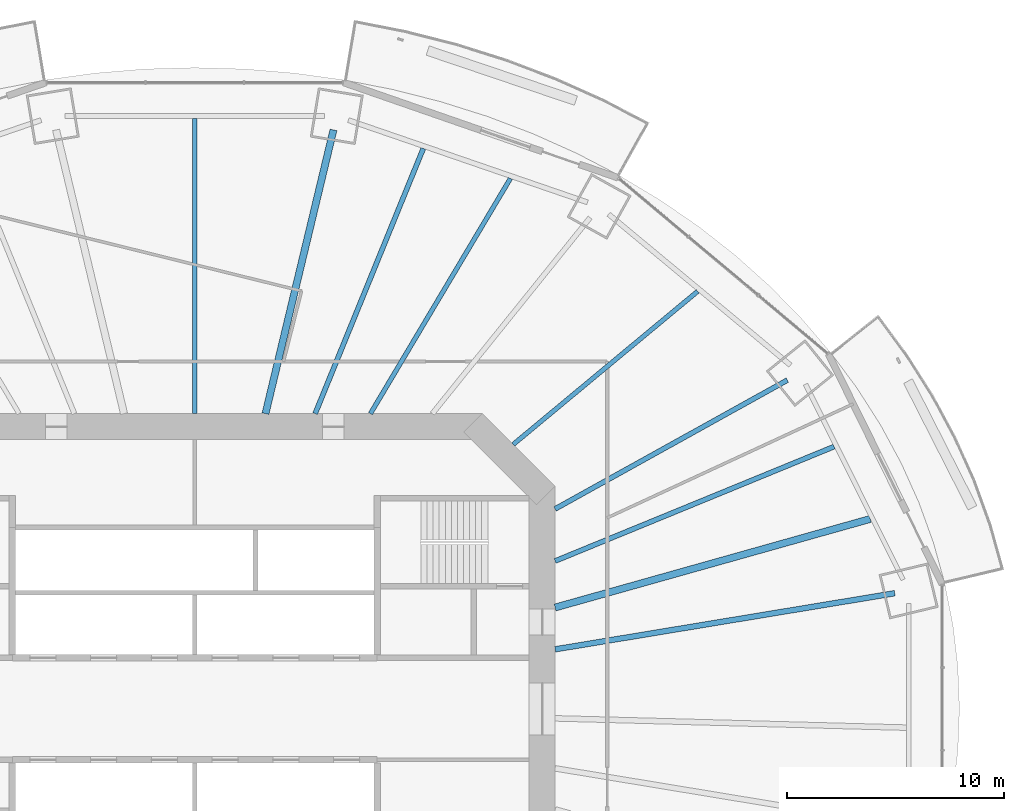
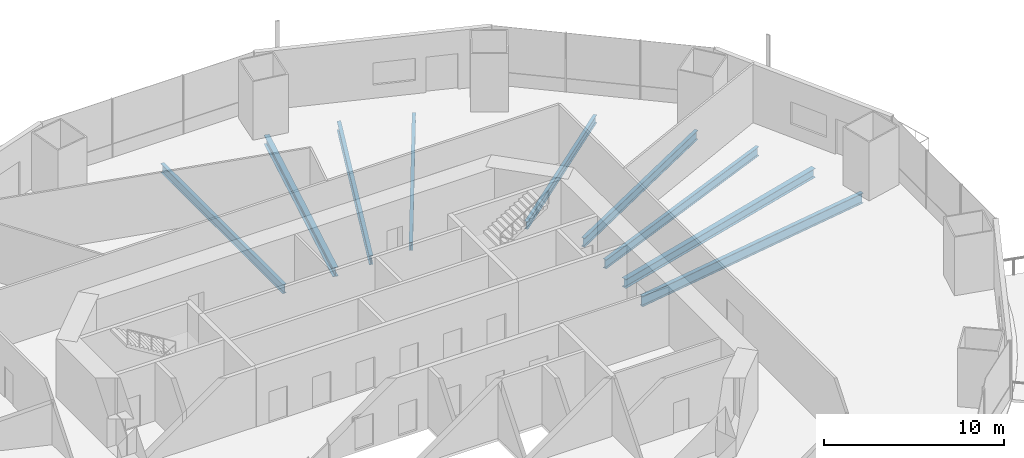
# One storey, part 8 of 22: 9 beams.
"""IFC4 building model written with IfcOpenShell, lengths in metres."""

from ifc_helpers import new_model, si_unit, direction, frame, origin, origin_2d, place, context, subcontext, project, spatial, i_section, extrude, material, material_profile, profile_set, type_object, element, save


model = new_model("IFC4")

# Units and contexts
model_context = context("Model", 3, precision=1e-05, world=origin(), true_north=direction((0.0, 1.0)))
body_context = subcontext(model_context, "Body", "Model", "MODEL_VIEW")
ifc_project = project(units=[si_unit("LENGTHUNIT", "METRE"), si_unit("AREAUNIT", "SQUARE_METRE"), si_unit("VOLUMEUNIT", "CUBIC_METRE"), si_unit("PLANEANGLEUNIT", "RADIAN"), si_unit("MASSUNIT", "GRAM", prefix="KILO")], contexts=[model_context])

# Site, building, storey
site_placement = place(None, origin())
site = spatial("IfcSite", under=ifc_project, at=site_placement, CompositionType="ELEMENT")
building_placement = place(site_placement, origin())
building = spatial("IfcBuilding", under=site, at=building_placement, Name="Marenthal Gate Tower", CompositionType="ELEMENT")
storey_placement = place(building_placement, frame((0.0, 0.0, 82.800048828125)))
storey = spatial("IfcBuildingStorey", under=building, at=storey_placement, Name="L16", CompositionType="ELEMENT", Elevation=82.800048828125)

# Beams
ifc_material_1 = material(Name="Steel S355", Category="steel")
ifc_material_profile_1 = material_profile(ifc_material_1, i_section(OverallWidth=0.2099609375, OverallDepth=0.535888671875, WebThickness=0.010986328125, FlangeThickness=0.017333984375, FilletRadius=0.0126953125, at=origin_2d()), Name="W530X101")
ifc_profile_set_1 = profile_set([ifc_material_profile_1], Name="Steel S355")
beam_type_1 = type_object("IfcBeamType", Name="W530X101 beam", PredefinedType="BEAM", material=ifc_profile_set_1)
beam_1_placement = place(storey_placement, frame((23.164794921875, 19.23193359375, -0.447998046875), z_axis=(-0.769390815443, -0.638778344273, 0.0), x_axis=(0.638778344273, -0.769390815443, 0.0)))
element("IfcBeam", 1, at=beam_1_placement, inside=storey, type_object=beam_type_1, Name="BM-L16-19", PredefinedType="BEAM", context=body_context, shape_type="SweptSolid", body=[
    extrude(i_section(OverallWidth=0.2099609375, OverallDepth=0.535888671875, WebThickness=0.010986328125, FlangeThickness=0.017333984375, FilletRadius=0.0126953125, at=origin_2d()), origin(), (0.0, 0.0, 1.0), 11.041259765625),
])
ifc_material_2 = material(Name="Steel S355", Category="steel")
ifc_material_profile_2 = material_profile(ifc_material_2, i_section(OverallWidth=0.2119140625, OverallDepth=0.5439453125, WebThickness=0.01318359375, FlangeThickness=0.021240234375, FilletRadius=0.0126953125, at=origin_2d()), Name="W530X123")
ifc_profile_set_2 = profile_set([ifc_material_profile_2], Name="Steel S355")
beam_type_2 = type_object("IfcBeamType", Name="W530X123 beam", PredefinedType="BEAM", material=ifc_profile_set_2)
beam_2_placement = place(storey_placement, frame((14.539794921875, 24.431396484375, -0.4521484375), z_axis=(-0.511416092882, -0.859333218223, 0.0), x_axis=(0.859333218223, -0.511416092882, 0.0)))
element("IfcBeam", 2, at=beam_2_placement, inside=storey, type_object=beam_type_2, Name="BM-L16-20", PredefinedType="BEAM", context=body_context, shape_type="SweptSolid", body=[
    extrude(i_section(OverallWidth=0.2119140625, OverallDepth=0.5439453125, WebThickness=0.01318359375, FlangeThickness=0.021240234375, FilletRadius=0.0126953125, at=origin_2d()), origin(), (0.0, 0.0, 1.0), 12.604248046875),
])
ifc_material_3 = material(Name="Steel S355", Category="steel")
ifc_material_profile_3 = material_profile(ifc_material_3, i_section(OverallWidth=0.22900390625, OverallDepth=0.612060546875, WebThickness=0.011962890625, FlangeThickness=0.01953125, FilletRadius=0.0126953125, at=origin_2d()), Name="W610X125")
ifc_profile_set_3 = profile_set([ifc_material_profile_3], Name="Steel S355")
beam_type_3 = type_object("IfcBeamType", Name="W610X125 beam", PredefinedType="BEAM", material=ifc_profile_set_3)
beam_3_placement = place(storey_placement, frame((27.296630859375, 15.142333984375, -0.486083984375), z_axis=(-0.874458374023, -0.485100558752, 0.0), x_axis=(0.485100558752, -0.874458374023, 0.0)))
element("IfcBeam", 3, at=beam_3_placement, inside=storey, type_object=beam_type_3, Name="BM-L16-02", PredefinedType="BEAM", context=body_context, shape_type="SweptSolid", body=[
    extrude(i_section(OverallWidth=0.22900390625, OverallDepth=0.612060546875, WebThickness=0.011962890625, FlangeThickness=0.01953125, FilletRadius=0.0126953125, at=origin_2d()), origin(), (0.0, 0.0, 1.0), 12.232177734375),
])
beam_4_placement = place(storey_placement, frame((29.45068359375, 12.08056640625, -0.486083984375), z_axis=(-0.925188716507, -0.379507363365, 0.0), x_axis=(0.379507363365, -0.925188716507, 0.0)))
element("IfcBeam", 4, at=beam_4_placement, inside=storey, type_object=beam_type_3, Name="BM-L16-18", PredefinedType="BEAM", context=body_context, shape_type="SweptSolid", body=[
    extrude(i_section(OverallWidth=0.22900390625, OverallDepth=0.612060546875, WebThickness=0.011962890625, FlangeThickness=0.01953125, FilletRadius=0.0126953125, at=origin_2d()), origin(), (0.0, 0.0, 1.0), 13.8896484375),
])
beam_5_placement = place(storey_placement, frame((10.52734375, 25.811279296875, -0.486083984375), z_axis=(-0.377657332002, -0.925945430134, 0.0), x_axis=(0.925945430134, -0.377657332002, 0.0)))
element("IfcBeam", 5, at=beam_5_placement, inside=storey, type_object=beam_type_3, Name="BM-L16-21", PredefinedType="BEAM", context=body_context, shape_type="SweptSolid", body=[
    extrude(i_section(OverallWidth=0.22900390625, OverallDepth=0.612060546875, WebThickness=0.011962890625, FlangeThickness=0.01953125, FilletRadius=0.0126953125, at=origin_2d()), origin(), (0.0, 0.0, 1.0), 13.187744140625),
])
beam_6_placement = place(storey_placement, frame((0.0, 27.188720703125, -0.486083984375), z_axis=(0.0, -1.0, 0.0), x_axis=(1.0, 0.0, 0.0)))
element("IfcBeam", 6, at=beam_6_placement, inside=storey, type_object=beam_type_3, Name="BM-L16-22", PredefinedType="BEAM", context=body_context, shape_type="SweptSolid", body=[
    extrude(i_section(OverallWidth=0.22900390625, OverallDepth=0.612060546875, WebThickness=0.011962890625, FlangeThickness=0.01953125, FilletRadius=0.0126953125, at=origin_2d()), origin(), (0.0, 0.0, 1.0), 13.588623046875),
])
ifc_material_4 = material(Name="Steel S355", Category="steel")
ifc_material_profile_4 = material_profile(ifc_material_4, i_section(OverallWidth=0.324951171875, OverallDepth=0.612060546875, WebThickness=0.0126953125, FlangeThickness=0.01904296875, FilletRadius=0.0126953125, at=origin_2d()), Name="W610X155")
ifc_profile_set_4 = profile_set([ifc_material_profile_4], Name="Steel S355")
beam_type_4 = type_object("IfcBeamType", Name="W610X155 beam", PredefinedType="BEAM", material=ifc_profile_set_4)
beam_7_placement = place(storey_placement, frame((6.389404296875, 26.668212890625, -0.486083984375), z_axis=(-0.233003942161, -0.972475790412, 0.0), x_axis=(0.972475790412, -0.233003942161, 0.0)))
element("IfcBeam", 7, at=beam_7_placement, inside=storey, type_object=beam_type_4, Name="BM-L16-04", PredefinedType="BEAM", context=body_context, shape_type="SweptSolid", body=[
    extrude(i_section(OverallWidth=0.324951171875, OverallDepth=0.612060546875, WebThickness=0.0126953125, FlangeThickness=0.01904296875, FilletRadius=0.0126953125, at=origin_2d()), origin(), (0.0, 0.0, 1.0), 13.43798828125),
])
beam_8_placement = place(storey_placement, frame((31.114013671875, 8.74658203125, -0.486083984375), z_axis=(-0.962684828959, -0.270625054443, 0.0), x_axis=(0.270625054443, -0.962684828959, 0.0)))
element("IfcBeam", 8, at=beam_8_placement, inside=storey, type_object=beam_type_4, Name="BM-L16-17", PredefinedType="BEAM", context=body_context, shape_type="SweptSolid", body=[
    extrude(i_section(OverallWidth=0.324951171875, OverallDepth=0.612060546875, WebThickness=0.0126953125, FlangeThickness=0.01904296875, FilletRadius=0.0126953125, at=origin_2d()), origin(), (0.0, 0.0, 1.0), 15.076416015625),
])
ifc_material_5 = material(Name="Steel S355", Category="steel")
ifc_material_profile_5 = material_profile(ifc_material_5, i_section(OverallWidth=0.257080078125, OverallDepth=0.693115234375, WebThickness=0.014404296875, FlangeThickness=0.023681640625, FilletRadius=0.015380859375, at=origin_2d()), Name="W690X170")
ifc_profile_set_5 = profile_set([ifc_material_profile_5], Name="Steel S355")
beam_type_5 = type_object("IfcBeamType", Name="W690X170 beam", PredefinedType="BEAM", material=ifc_profile_set_5)
beam_9_placement = place(storey_placement, frame((32.242431640625, 5.324462890625, -0.526611328125), z_axis=(-0.986636314494, -0.162937972619, 0.0), x_axis=(0.162937972619, -0.986636314494, 0.0)))
element("IfcBeam", 9, at=beam_9_placement, inside=storey, type_object=beam_type_5, Name="BM-L16-01", PredefinedType="BEAM", context=body_context, shape_type="SweptSolid", body=[
    extrude(i_section(OverallWidth=0.257080078125, OverallDepth=0.693115234375, WebThickness=0.014404296875, FlangeThickness=0.023681640625, FilletRadius=0.015380859375, at=origin_2d()), origin(), (0.0, 0.0, 1.0), 15.854248046875),
])

save(model, "model.ifc")
